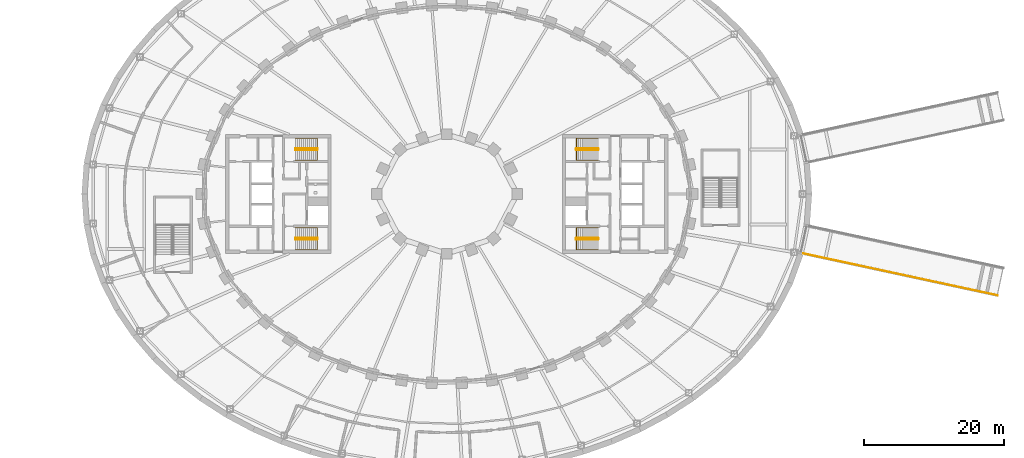
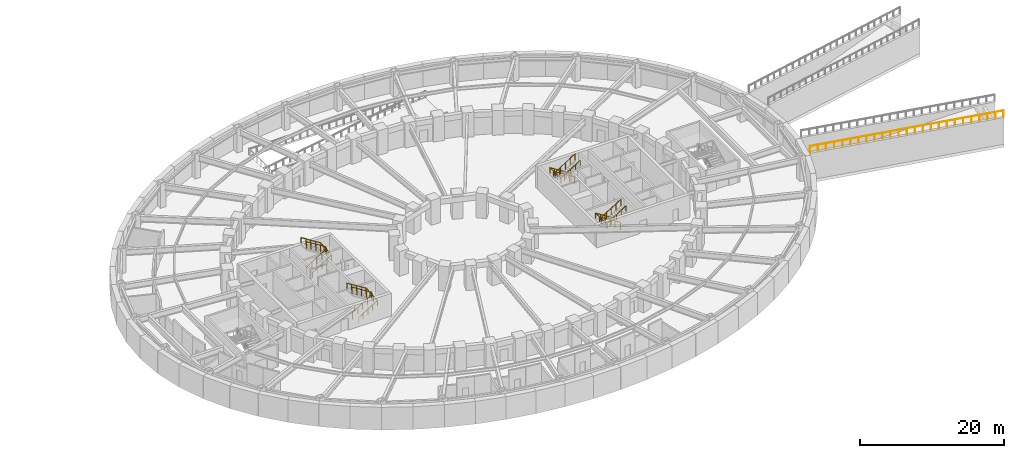
# One storey, part 29 of 32: 9 railings.
"""IFC4 building model written with IfcOpenShell, lengths in metres."""

from ifc_helpers import new_model, si_unit, direction, frame, origin, origin_2d, place, context, subcontext, project, spatial, rectangle, extrude, material, type_object, element, save


model = new_model("IFC4")

# Units and contexts
model_context = context("Model", 3, precision=1e-05, world=origin(), true_north=direction((0.0, 1.0)))
body_context = subcontext(model_context, "Body", "Model", "MODEL_VIEW")
ifc_project = project(units=[si_unit("LENGTHUNIT", "METRE"), si_unit("AREAUNIT", "SQUARE_METRE"), si_unit("VOLUMEUNIT", "CUBIC_METRE"), si_unit("PLANEANGLEUNIT", "RADIAN"), si_unit("MASSUNIT", "GRAM", prefix="KILO")], contexts=[model_context])

# Site, building, storey
site_placement = place(None, origin())
site = spatial("IfcSite", under=ifc_project, at=site_placement, CompositionType="ELEMENT")
building_placement = place(site_placement, origin())
building = spatial("IfcBuilding", under=site, at=building_placement, Name="Noorbagh Ring Tower", CompositionType="ELEMENT")
storey_placement = place(building_placement, frame((0.0, 0.0, -4.199951171875)))
storey = spatial("IfcBuildingStorey", under=building, at=storey_placement, Name="B1", CompositionType="ELEMENT", Elevation=-4.199951171875)

# Railings
ifc_material_1 = material(Name="Stainless steel", Category="steel")
railing_type_1 = type_object("IfcRailingType", Name="CORE-STAIR-GUARD", PredefinedType="GUARDRAIL", material=ifc_material_1)
railing_1_placement = place(storey_placement, frame((-21.580078125, 6.300048828125, 0.0)))
element("IfcRailing", 1, at=railing_1_placement, inside=storey, type_object=railing_type_1, Name="B1 ST1 stair guard", PredefinedType="GUARDRAIL", context=body_context, shape_type="SweptSolid", body=[
    extrude(rectangle(XDim=0.048095703125, YDim=0.048095703125, at=origin_2d()), frame((0.0, 0.0, 1.076171875), z_axis=(0.0, 1.0, 0.0), x_axis=(-1.0, 0.0, 0.0)), (0.0, 0.0, 1.0), 0.14990234375),
    extrude(rectangle(XDim=0.048095703125, YDim=0.048095703125, at=origin_2d()), frame((0.0, 0.14990234375, 1.076171875), z_axis=(0.185077533284, -0.739407315901, 0.647319957877), x_axis=(0.970072785993, 0.242814311512, 0.0)), (0.0, 0.0, 1.0), 0.2705078125),
    extrude(rectangle(XDim=0.048095703125, YDim=0.048095703125, at=origin_2d()), frame((0.050048828125, -0.050048828125, 1.2509765625), z_axis=(0.848028513186, 0.0, 0.529950602248), x_axis=(0.0, 1.0, 0.0)), (0.0, 0.0, 1.0), 3.632080078125),
    extrude(rectangle(XDim=0.048095703125, YDim=0.048095703125, at=origin_2d()), frame((3.130126953125, -0.050048828125, 3.17578125), z_axis=(0.707106781187, 0.707106781187, 0.0), x_axis=(-0.707106781187, 0.707106781187, 0.0)), (0.0, 0.0, 1.0), 0.07080078125),
    extrude(rectangle(XDim=0.048095703125, YDim=0.048095703125, at=origin_2d()), frame((3.18017578125, 0.0, 3.17578125), z_axis=(0.0, 1.0, 0.0), x_axis=(-1.0, 0.0, 0.0)), (0.0, 0.0, 1.0), 0.14990234375),
    extrude(rectangle(XDim=0.048095703125, YDim=0.048095703125, at=origin_2d()), frame((3.18017578125, 0.14990234375, 3.17578125), z_axis=(-0.265065253269, 0.265065253269, 0.927081885822), x_axis=(-0.707106781187, -0.707106781187, 0.0)), (0.0, 0.0, 1.0), 0.188720703125),
    extrude(rectangle(XDim=0.048095703125, YDim=0.048095703125, at=origin_2d()), frame((3.130126953125, 0.199951171875, 3.35107421875), z_axis=(-0.847998304005, 0.0, 0.529998940003), x_axis=(0.0, -1.0, 0.0)), (0.0, 0.0, 1.0), 3.632080078125),
    extrude(rectangle(XDim=0.0419921875, YDim=0.0419921875, at=origin_2d()), origin(), (0.0, 0.0, 1.0), 1.052001953125),
    extrude(rectangle(XDim=0.0419921875, YDim=0.0419921875, at=origin_2d()), frame((0.820068359375, -0.050048828125, 0.65625)), (0.0, 0.0, 1.0), 1.052001953125),
    extrude(rectangle(XDim=0.0419921875, YDim=0.0419921875, at=origin_2d()), frame((1.590087890625, -0.050048828125, 1.137451171875)), (0.0, 0.0, 1.0), 1.052001953125),
    extrude(rectangle(XDim=0.0419921875, YDim=0.0419921875, at=origin_2d()), frame((2.360107421875, -0.050048828125, 1.61865234375)), (0.0, 0.0, 1.0), 1.052001953125),
    extrude(rectangle(XDim=0.0419921875, YDim=0.0419921875, at=origin_2d()), frame((3.130126953125, -0.050048828125, 2.099853515625)), (0.0, 0.0, 1.0), 1.052001953125),
    extrude(rectangle(XDim=0.0419921875, YDim=0.0419921875, at=origin_2d()), frame((3.130126953125, 0.199951171875, 2.27490234375)), (0.0, 0.0, 1.0), 1.052001953125),
    extrude(rectangle(XDim=0.0419921875, YDim=0.0419921875, at=origin_2d()), frame((2.360107421875, 0.199951171875, 2.756103515625)), (0.0, 0.0, 1.0), 1.052001953125),
    extrude(rectangle(XDim=0.0419921875, YDim=0.0419921875, at=origin_2d()), frame((1.590087890625, 0.199951171875, 3.2373046875)), (0.0, 0.0, 1.0), 1.052001953125),
    extrude(rectangle(XDim=0.0419921875, YDim=0.0419921875, at=origin_2d()), frame((0.820068359375, 0.199951171875, 3.71875)), (0.0, 0.0, 1.0), 1.052001953125),
    extrude(rectangle(XDim=0.0419921875, YDim=0.0419921875, at=origin_2d()), frame((0.050048828125, 0.199951171875, 4.199951171875)), (0.0, 0.0, 1.0), 1.052001953125),
])
railing_2_placement = place(storey_placement, frame((-21.580078125, -6.449951171875, 0.0)))
element("IfcRailing", 2, at=railing_2_placement, inside=storey, type_object=railing_type_1, Name="B1 ST2 stair guard", PredefinedType="GUARDRAIL", context=body_context, shape_type="SweptSolid", body=[
    extrude(rectangle(XDim=0.048095703125, YDim=0.048095703125, at=origin_2d()), frame((0.0, 0.0, 1.076171875), z_axis=(0.0, 1.0, 0.0), x_axis=(-1.0, 0.0, 0.0)), (0.0, 0.0, 1.0), 0.14990234375),
    extrude(rectangle(XDim=0.048095703125, YDim=0.048095703125, at=origin_2d()), frame((0.0, 0.14990234375, 1.076171875), z_axis=(0.185077533284, -0.739407315901, 0.647319957877), x_axis=(0.970072785993, 0.242814311512, 0.0)), (0.0, 0.0, 1.0), 0.2705078125),
    extrude(rectangle(XDim=0.048095703125, YDim=0.048095703125, at=origin_2d()), frame((0.050048828125, -0.050048828125, 1.2509765625), z_axis=(0.848028513186, 0.0, 0.529950602248), x_axis=(0.0, 1.0, 0.0)), (0.0, 0.0, 1.0), 3.632080078125),
    extrude(rectangle(XDim=0.048095703125, YDim=0.048095703125, at=origin_2d()), frame((3.130126953125, -0.050048828125, 3.17578125), z_axis=(0.707106781187, 0.707106781187, 0.0), x_axis=(-0.707106781187, 0.707106781187, 0.0)), (0.0, 0.0, 1.0), 0.07080078125),
    extrude(rectangle(XDim=0.048095703125, YDim=0.048095703125, at=origin_2d()), frame((3.18017578125, 0.0, 3.17578125), z_axis=(0.0, 1.0, 0.0), x_axis=(-1.0, 0.0, 0.0)), (0.0, 0.0, 1.0), 0.14990234375),
    extrude(rectangle(XDim=0.048095703125, YDim=0.048095703125, at=origin_2d()), frame((3.18017578125, 0.14990234375, 3.17578125), z_axis=(-0.265065253269, 0.265065253269, 0.927081885822), x_axis=(-0.707106781187, -0.707106781187, 0.0)), (0.0, 0.0, 1.0), 0.188720703125),
    extrude(rectangle(XDim=0.048095703125, YDim=0.048095703125, at=origin_2d()), frame((3.130126953125, 0.199951171875, 3.35107421875), z_axis=(-0.847998304005, 0.0, 0.529998940003), x_axis=(0.0, -1.0, 0.0)), (0.0, 0.0, 1.0), 3.632080078125),
    extrude(rectangle(XDim=0.0419921875, YDim=0.0419921875, at=origin_2d()), origin(), (0.0, 0.0, 1.0), 1.052001953125),
    extrude(rectangle(XDim=0.0419921875, YDim=0.0419921875, at=origin_2d()), frame((0.820068359375, -0.050048828125, 0.65625)), (0.0, 0.0, 1.0), 1.052001953125),
    extrude(rectangle(XDim=0.0419921875, YDim=0.0419921875, at=origin_2d()), frame((1.590087890625, -0.050048828125, 1.137451171875)), (0.0, 0.0, 1.0), 1.052001953125),
    extrude(rectangle(XDim=0.0419921875, YDim=0.0419921875, at=origin_2d()), frame((2.360107421875, -0.050048828125, 1.61865234375)), (0.0, 0.0, 1.0), 1.052001953125),
    extrude(rectangle(XDim=0.0419921875, YDim=0.0419921875, at=origin_2d()), frame((3.130126953125, -0.050048828125, 2.099853515625)), (0.0, 0.0, 1.0), 1.052001953125),
    extrude(rectangle(XDim=0.0419921875, YDim=0.0419921875, at=origin_2d()), frame((3.130126953125, 0.199951171875, 2.27490234375)), (0.0, 0.0, 1.0), 1.052001953125),
    extrude(rectangle(XDim=0.0419921875, YDim=0.0419921875, at=origin_2d()), frame((2.360107421875, 0.199951171875, 2.756103515625)), (0.0, 0.0, 1.0), 1.052001953125),
    extrude(rectangle(XDim=0.0419921875, YDim=0.0419921875, at=origin_2d()), frame((1.590087890625, 0.199951171875, 3.2373046875)), (0.0, 0.0, 1.0), 1.052001953125),
    extrude(rectangle(XDim=0.0419921875, YDim=0.0419921875, at=origin_2d()), frame((0.820068359375, 0.199951171875, 3.71875)), (0.0, 0.0, 1.0), 1.052001953125),
    extrude(rectangle(XDim=0.0419921875, YDim=0.0419921875, at=origin_2d()), frame((0.050048828125, 0.199951171875, 4.199951171875)), (0.0, 0.0, 1.0), 1.052001953125),
])
railing_3_placement = place(storey_placement, frame((21.580078125, 6.449951171875, 0.0)))
element("IfcRailing", 3, at=railing_3_placement, inside=storey, type_object=railing_type_1, Name="B1 ST3 stair guard", PredefinedType="GUARDRAIL", context=body_context, shape_type="SweptSolid", body=[
    extrude(rectangle(XDim=0.048095703125, YDim=0.048095703125, at=origin_2d()), frame((0.0, 0.0, 1.076171875), z_axis=(0.0, -1.0, 0.0), x_axis=(1.0, 0.0, 0.0)), (0.0, 0.0, 1.0), 0.14990234375),
    extrude(rectangle(XDim=0.048095703125, YDim=0.048095703125, at=origin_2d()), frame((0.0, -0.14990234375, 1.076171875), z_axis=(-0.185077533284, 0.739407315901, 0.647319957877), x_axis=(-0.970072785993, -0.242814311512, 0.0)), (0.0, 0.0, 1.0), 0.2705078125),
    extrude(rectangle(XDim=0.048095703125, YDim=0.048095703125, at=origin_2d()), frame((-0.050048828125, 0.050048828125, 1.2509765625), z_axis=(-0.848028513186, 0.0, 0.529950602248), x_axis=(0.0, -1.0, 0.0)), (0.0, 0.0, 1.0), 3.632080078125),
    extrude(rectangle(XDim=0.048095703125, YDim=0.048095703125, at=origin_2d()), frame((-3.130126953125, 0.050048828125, 3.17578125), z_axis=(-0.707106781187, -0.707106781187, 0.0), x_axis=(0.707106781187, -0.707106781187, 0.0)), (0.0, 0.0, 1.0), 0.07080078125),
    extrude(rectangle(XDim=0.048095703125, YDim=0.048095703125, at=origin_2d()), frame((-3.18017578125, 0.0, 3.17578125), z_axis=(0.0, -1.0, 0.0), x_axis=(1.0, 0.0, 0.0)), (0.0, 0.0, 1.0), 0.14990234375),
    extrude(rectangle(XDim=0.048095703125, YDim=0.048095703125, at=origin_2d()), frame((-3.18017578125, -0.14990234375, 3.17578125), z_axis=(0.265065253269, -0.265065253269, 0.927081885822), x_axis=(0.707106781187, 0.707106781187, 0.0)), (0.0, 0.0, 1.0), 0.188720703125),
    extrude(rectangle(XDim=0.048095703125, YDim=0.048095703125, at=origin_2d()), frame((-3.130126953125, -0.199951171875, 3.35107421875), z_axis=(0.847998304005, 0.0, 0.529998940003), x_axis=(0.0, 1.0, 0.0)), (0.0, 0.0, 1.0), 3.632080078125),
    extrude(rectangle(XDim=0.0419921875, YDim=0.0419921875, at=origin_2d()), origin(), (0.0, 0.0, 1.0), 1.052001953125),
    extrude(rectangle(XDim=0.0419921875, YDim=0.0419921875, at=origin_2d()), frame((-0.820068359375, 0.050048828125, 0.65625)), (0.0, 0.0, 1.0), 1.052001953125),
    extrude(rectangle(XDim=0.0419921875, YDim=0.0419921875, at=origin_2d()), frame((-1.590087890625, 0.050048828125, 1.137451171875)), (0.0, 0.0, 1.0), 1.052001953125),
    extrude(rectangle(XDim=0.0419921875, YDim=0.0419921875, at=origin_2d()), frame((-2.360107421875, 0.050048828125, 1.61865234375)), (0.0, 0.0, 1.0), 1.052001953125),
    extrude(rectangle(XDim=0.0419921875, YDim=0.0419921875, at=origin_2d()), frame((-3.130126953125, 0.050048828125, 2.099853515625)), (0.0, 0.0, 1.0), 1.052001953125),
    extrude(rectangle(XDim=0.0419921875, YDim=0.0419921875, at=origin_2d()), frame((-3.130126953125, -0.199951171875, 2.27490234375)), (0.0, 0.0, 1.0), 1.052001953125),
    extrude(rectangle(XDim=0.0419921875, YDim=0.0419921875, at=origin_2d()), frame((-2.360107421875, -0.199951171875, 2.756103515625)), (0.0, 0.0, 1.0), 1.052001953125),
    extrude(rectangle(XDim=0.0419921875, YDim=0.0419921875, at=origin_2d()), frame((-1.590087890625, -0.199951171875, 3.2373046875)), (0.0, 0.0, 1.0), 1.052001953125),
    extrude(rectangle(XDim=0.0419921875, YDim=0.0419921875, at=origin_2d()), frame((-0.820068359375, -0.199951171875, 3.71875)), (0.0, 0.0, 1.0), 1.052001953125),
    extrude(rectangle(XDim=0.0419921875, YDim=0.0419921875, at=origin_2d()), frame((-0.050048828125, -0.199951171875, 4.199951171875)), (0.0, 0.0, 1.0), 1.052001953125),
])
railing_4_placement = place(storey_placement, frame((21.580078125, -6.300048828125, 0.0)))
element("IfcRailing", 4, at=railing_4_placement, inside=storey, type_object=railing_type_1, Name="B1 ST4 stair guard", PredefinedType="GUARDRAIL", context=body_context, shape_type="SweptSolid", body=[
    extrude(rectangle(XDim=0.048095703125, YDim=0.048095703125, at=origin_2d()), frame((0.0, 0.0, 1.076171875), z_axis=(0.0, -1.0, 0.0), x_axis=(1.0, 0.0, 0.0)), (0.0, 0.0, 1.0), 0.14990234375),
    extrude(rectangle(XDim=0.048095703125, YDim=0.048095703125, at=origin_2d()), frame((0.0, -0.14990234375, 1.076171875), z_axis=(-0.185077533284, 0.739407315901, 0.647319957877), x_axis=(-0.970072785993, -0.242814311512, 0.0)), (0.0, 0.0, 1.0), 0.2705078125),
    extrude(rectangle(XDim=0.048095703125, YDim=0.048095703125, at=origin_2d()), frame((-0.050048828125, 0.050048828125, 1.2509765625), z_axis=(-0.848028513186, 0.0, 0.529950602248), x_axis=(0.0, -1.0, 0.0)), (0.0, 0.0, 1.0), 3.632080078125),
    extrude(rectangle(XDim=0.048095703125, YDim=0.048095703125, at=origin_2d()), frame((-3.130126953125, 0.050048828125, 3.17578125), z_axis=(-0.707106781187, -0.707106781187, 0.0), x_axis=(0.707106781187, -0.707106781187, 0.0)), (0.0, 0.0, 1.0), 0.07080078125),
    extrude(rectangle(XDim=0.048095703125, YDim=0.048095703125, at=origin_2d()), frame((-3.18017578125, 0.0, 3.17578125), z_axis=(0.0, -1.0, 0.0), x_axis=(1.0, 0.0, 0.0)), (0.0, 0.0, 1.0), 0.14990234375),
    extrude(rectangle(XDim=0.048095703125, YDim=0.048095703125, at=origin_2d()), frame((-3.18017578125, -0.14990234375, 3.17578125), z_axis=(0.265065253269, -0.265065253269, 0.927081885822), x_axis=(0.707106781187, 0.707106781187, 0.0)), (0.0, 0.0, 1.0), 0.188720703125),
    extrude(rectangle(XDim=0.048095703125, YDim=0.048095703125, at=origin_2d()), frame((-3.130126953125, -0.199951171875, 3.35107421875), z_axis=(0.847998304005, 0.0, 0.529998940003), x_axis=(0.0, 1.0, 0.0)), (0.0, 0.0, 1.0), 3.632080078125),
    extrude(rectangle(XDim=0.0419921875, YDim=0.0419921875, at=origin_2d()), origin(), (0.0, 0.0, 1.0), 1.052001953125),
    extrude(rectangle(XDim=0.0419921875, YDim=0.0419921875, at=origin_2d()), frame((-0.820068359375, 0.050048828125, 0.65625)), (0.0, 0.0, 1.0), 1.052001953125),
    extrude(rectangle(XDim=0.0419921875, YDim=0.0419921875, at=origin_2d()), frame((-1.590087890625, 0.050048828125, 1.137451171875)), (0.0, 0.0, 1.0), 1.052001953125),
    extrude(rectangle(XDim=0.0419921875, YDim=0.0419921875, at=origin_2d()), frame((-2.360107421875, 0.050048828125, 1.61865234375)), (0.0, 0.0, 1.0), 1.052001953125),
    extrude(rectangle(XDim=0.0419921875, YDim=0.0419921875, at=origin_2d()), frame((-3.130126953125, 0.050048828125, 2.099853515625)), (0.0, 0.0, 1.0), 1.052001953125),
    extrude(rectangle(XDim=0.0419921875, YDim=0.0419921875, at=origin_2d()), frame((-3.130126953125, -0.199951171875, 2.27490234375)), (0.0, 0.0, 1.0), 1.052001953125),
    extrude(rectangle(XDim=0.0419921875, YDim=0.0419921875, at=origin_2d()), frame((-2.360107421875, -0.199951171875, 2.756103515625)), (0.0, 0.0, 1.0), 1.052001953125),
    extrude(rectangle(XDim=0.0419921875, YDim=0.0419921875, at=origin_2d()), frame((-1.590087890625, -0.199951171875, 3.2373046875)), (0.0, 0.0, 1.0), 1.052001953125),
    extrude(rectangle(XDim=0.0419921875, YDim=0.0419921875, at=origin_2d()), frame((-0.820068359375, -0.199951171875, 3.71875)), (0.0, 0.0, 1.0), 1.052001953125),
    extrude(rectangle(XDim=0.0419921875, YDim=0.0419921875, at=origin_2d()), frame((-0.050048828125, -0.199951171875, 4.199951171875)), (0.0, 0.0, 1.0), 1.052001953125),
])
ifc_material_2 = material(Name="Stainless steel", Category="steel")
railing_type_2 = type_object("IfcRailingType", Name="CORE-STAIR-HANDRAIL", PredefinedType="HANDRAIL", material=ifc_material_2)
railing_5_placement = place(storey_placement, frame((-21.530029296875, 4.800048828125, 0.175048828125)))
element("IfcRailing", 5, at=railing_5_placement, inside=storey, type_object=railing_type_2, Name="B1 ST1 stair handrail", PredefinedType="HANDRAIL", context=body_context, shape_type="SweptSolid", body=[
    extrude(rectangle(XDim=0.048095703125, YDim=0.048095703125, at=origin_2d()), frame((0.0, 0.0, 0.8759765625), z_axis=(0.848028513186, 0.0, 0.529950602248), x_axis=(0.0, 1.0, 0.0)), (0.0, 0.0, 1.0), 3.632080078125),
    extrude(rectangle(XDim=0.048095703125, YDim=0.048095703125, at=origin_2d()), frame((3.080078125, 0.0, 2.80078125), z_axis=(0.0, 0.998459400591, 0.055487164023), x_axis=(-1.0, 0.0, 0.0)), (0.0, 0.0, 1.0), 3.15478515625),
    extrude(rectangle(XDim=0.048095703125, YDim=0.048095703125, at=origin_2d()), frame((3.080078125, 3.14990234375, 2.9755859375), z_axis=(-0.847998304005, 0.0, 0.529998940003), x_axis=(0.0, -1.0, 0.0)), (0.0, 0.0, 1.0), 3.632080078125),
    extrude(rectangle(XDim=0.0419921875, YDim=0.0419921875, at=origin_2d()), origin(), (0.0, 0.0, 1.0), 0.851806640625),
    extrude(rectangle(XDim=0.0419921875, YDim=0.0419921875, at=origin_2d()), frame((0.77001953125, 0.0, 0.481201171875)), (0.0, 0.0, 1.0), 0.851806640625),
    extrude(rectangle(XDim=0.0419921875, YDim=0.0419921875, at=origin_2d()), frame((1.5400390625, 0.0, 0.96240234375)), (0.0, 0.0, 1.0), 0.851806640625),
    extrude(rectangle(XDim=0.0419921875, YDim=0.0419921875, at=origin_2d()), frame((2.31005859375, 0.0, 1.443603515625)), (0.0, 0.0, 1.0), 0.851806640625),
    extrude(rectangle(XDim=0.0419921875, YDim=0.0419921875, at=origin_2d()), frame((3.080078125, 0.0, 1.9248046875)), (0.0, 0.0, 1.0), 0.851806640625),
    extrude(rectangle(XDim=0.0419921875, YDim=0.0419921875, at=origin_2d()), frame((3.080078125, 1.050048828125, 1.983154296875)), (0.0, 0.0, 1.0), 0.851806640625),
    extrude(rectangle(XDim=0.0419921875, YDim=0.0419921875, at=origin_2d()), frame((3.080078125, 2.099853515625, 2.04150390625)), (0.0, 0.0, 1.0), 0.851806640625),
    extrude(rectangle(XDim=0.0419921875, YDim=0.0419921875, at=origin_2d()), frame((3.080078125, 3.14990234375, 2.099853515625)), (0.0, 0.0, 1.0), 0.851806640625),
    extrude(rectangle(XDim=0.0419921875, YDim=0.0419921875, at=origin_2d()), frame((2.31005859375, 3.14990234375, 2.5810546875)), (0.0, 0.0, 1.0), 0.851806640625),
    extrude(rectangle(XDim=0.0419921875, YDim=0.0419921875, at=origin_2d()), frame((1.5400390625, 3.14990234375, 3.0625)), (0.0, 0.0, 1.0), 0.851806640625),
    extrude(rectangle(XDim=0.0419921875, YDim=0.0419921875, at=origin_2d()), frame((0.77001953125, 3.14990234375, 3.543701171875)), (0.0, 0.0, 1.0), 0.851806640625),
    extrude(rectangle(XDim=0.0419921875, YDim=0.0419921875, at=origin_2d()), frame((0.0, 3.14990234375, 4.02490234375)), (0.0, 0.0, 1.0), 0.851806640625),
])
railing_6_placement = place(storey_placement, frame((-21.530029296875, -7.949951171875, 0.175048828125)))
element("IfcRailing", 6, at=railing_6_placement, inside=storey, type_object=railing_type_2, Name="B1 ST2 stair handrail", PredefinedType="HANDRAIL", context=body_context, shape_type="SweptSolid", body=[
    extrude(rectangle(XDim=0.048095703125, YDim=0.048095703125, at=origin_2d()), frame((0.0, 0.0, 0.8759765625), z_axis=(0.848028513186, 0.0, 0.529950602248), x_axis=(0.0, 1.0, 0.0)), (0.0, 0.0, 1.0), 3.632080078125),
    extrude(rectangle(XDim=0.048095703125, YDim=0.048095703125, at=origin_2d()), frame((3.080078125, 0.0, 2.80078125), z_axis=(0.0, 0.998459400591, 0.055487164023), x_axis=(-1.0, 0.0, 0.0)), (0.0, 0.0, 1.0), 3.15478515625),
    extrude(rectangle(XDim=0.048095703125, YDim=0.048095703125, at=origin_2d()), frame((3.080078125, 3.14990234375, 2.9755859375), z_axis=(-0.847998304005, 0.0, 0.529998940003), x_axis=(0.0, -1.0, 0.0)), (0.0, 0.0, 1.0), 3.632080078125),
    extrude(rectangle(XDim=0.0419921875, YDim=0.0419921875, at=origin_2d()), origin(), (0.0, 0.0, 1.0), 0.851806640625),
    extrude(rectangle(XDim=0.0419921875, YDim=0.0419921875, at=origin_2d()), frame((0.77001953125, 0.0, 0.481201171875)), (0.0, 0.0, 1.0), 0.851806640625),
    extrude(rectangle(XDim=0.0419921875, YDim=0.0419921875, at=origin_2d()), frame((1.5400390625, 0.0, 0.96240234375)), (0.0, 0.0, 1.0), 0.851806640625),
    extrude(rectangle(XDim=0.0419921875, YDim=0.0419921875, at=origin_2d()), frame((2.31005859375, 0.0, 1.443603515625)), (0.0, 0.0, 1.0), 0.851806640625),
    extrude(rectangle(XDim=0.0419921875, YDim=0.0419921875, at=origin_2d()), frame((3.080078125, 0.0, 1.9248046875)), (0.0, 0.0, 1.0), 0.851806640625),
    extrude(rectangle(XDim=0.0419921875, YDim=0.0419921875, at=origin_2d()), frame((3.080078125, 1.050048828125, 1.983154296875)), (0.0, 0.0, 1.0), 0.851806640625),
    extrude(rectangle(XDim=0.0419921875, YDim=0.0419921875, at=origin_2d()), frame((3.080078125, 2.099853515625, 2.04150390625)), (0.0, 0.0, 1.0), 0.851806640625),
    extrude(rectangle(XDim=0.0419921875, YDim=0.0419921875, at=origin_2d()), frame((3.080078125, 3.14990234375, 2.099853515625)), (0.0, 0.0, 1.0), 0.851806640625),
    extrude(rectangle(XDim=0.0419921875, YDim=0.0419921875, at=origin_2d()), frame((2.31005859375, 3.14990234375, 2.5810546875)), (0.0, 0.0, 1.0), 0.851806640625),
    extrude(rectangle(XDim=0.0419921875, YDim=0.0419921875, at=origin_2d()), frame((1.5400390625, 3.14990234375, 3.0625)), (0.0, 0.0, 1.0), 0.851806640625),
    extrude(rectangle(XDim=0.0419921875, YDim=0.0419921875, at=origin_2d()), frame((0.77001953125, 3.14990234375, 3.543701171875)), (0.0, 0.0, 1.0), 0.851806640625),
    extrude(rectangle(XDim=0.0419921875, YDim=0.0419921875, at=origin_2d()), frame((0.0, 3.14990234375, 4.02490234375)), (0.0, 0.0, 1.0), 0.851806640625),
])
railing_7_placement = place(storey_placement, frame((21.530029296875, 7.949951171875, 0.175048828125)))
element("IfcRailing", 7, at=railing_7_placement, inside=storey, type_object=railing_type_2, Name="B1 ST3 stair handrail", PredefinedType="HANDRAIL", context=body_context, shape_type="SweptSolid", body=[
    extrude(rectangle(XDim=0.048095703125, YDim=0.048095703125, at=origin_2d()), frame((0.0, 0.0, 0.8759765625), z_axis=(-0.848028513186, 0.0, 0.529950602248), x_axis=(0.0, -1.0, 0.0)), (0.0, 0.0, 1.0), 3.632080078125),
    extrude(rectangle(XDim=0.048095703125, YDim=0.048095703125, at=origin_2d()), frame((-3.080078125, 0.0, 2.80078125), z_axis=(0.0, -0.998459400591, 0.055487164023), x_axis=(1.0, 0.0, 0.0)), (0.0, 0.0, 1.0), 3.15478515625),
    extrude(rectangle(XDim=0.048095703125, YDim=0.048095703125, at=origin_2d()), frame((-3.080078125, -3.14990234375, 2.9755859375), z_axis=(0.847998304005, 0.0, 0.529998940003), x_axis=(0.0, 1.0, 0.0)), (0.0, 0.0, 1.0), 3.632080078125),
    extrude(rectangle(XDim=0.0419921875, YDim=0.0419921875, at=origin_2d()), origin(), (0.0, 0.0, 1.0), 0.851806640625),
    extrude(rectangle(XDim=0.0419921875, YDim=0.0419921875, at=origin_2d()), frame((-0.77001953125, 0.0, 0.481201171875)), (0.0, 0.0, 1.0), 0.851806640625),
    extrude(rectangle(XDim=0.0419921875, YDim=0.0419921875, at=origin_2d()), frame((-1.5400390625, 0.0, 0.96240234375)), (0.0, 0.0, 1.0), 0.851806640625),
    extrude(rectangle(XDim=0.0419921875, YDim=0.0419921875, at=origin_2d()), frame((-2.31005859375, 0.0, 1.443603515625)), (0.0, 0.0, 1.0), 0.851806640625),
    extrude(rectangle(XDim=0.0419921875, YDim=0.0419921875, at=origin_2d()), frame((-3.080078125, 0.0, 1.9248046875)), (0.0, 0.0, 1.0), 0.851806640625),
    extrude(rectangle(XDim=0.0419921875, YDim=0.0419921875, at=origin_2d()), frame((-3.080078125, -1.050048828125, 1.983154296875)), (0.0, 0.0, 1.0), 0.851806640625),
    extrude(rectangle(XDim=0.0419921875, YDim=0.0419921875, at=origin_2d()), frame((-3.080078125, -2.099853515625, 2.04150390625)), (0.0, 0.0, 1.0), 0.851806640625),
    extrude(rectangle(XDim=0.0419921875, YDim=0.0419921875, at=origin_2d()), frame((-3.080078125, -3.14990234375, 2.099853515625)), (0.0, 0.0, 1.0), 0.851806640625),
    extrude(rectangle(XDim=0.0419921875, YDim=0.0419921875, at=origin_2d()), frame((-2.31005859375, -3.14990234375, 2.5810546875)), (0.0, 0.0, 1.0), 0.851806640625),
    extrude(rectangle(XDim=0.0419921875, YDim=0.0419921875, at=origin_2d()), frame((-1.5400390625, -3.14990234375, 3.0625)), (0.0, 0.0, 1.0), 0.851806640625),
    extrude(rectangle(XDim=0.0419921875, YDim=0.0419921875, at=origin_2d()), frame((-0.77001953125, -3.14990234375, 3.543701171875)), (0.0, 0.0, 1.0), 0.851806640625),
    extrude(rectangle(XDim=0.0419921875, YDim=0.0419921875, at=origin_2d()), frame((0.0, -3.14990234375, 4.02490234375)), (0.0, 0.0, 1.0), 0.851806640625),
])
railing_8_placement = place(storey_placement, frame((21.530029296875, -4.800048828125, 0.175048828125)))
element("IfcRailing", 8, at=railing_8_placement, inside=storey, type_object=railing_type_2, Name="B1 ST4 stair handrail", PredefinedType="HANDRAIL", context=body_context, shape_type="SweptSolid", body=[
    extrude(rectangle(XDim=0.048095703125, YDim=0.048095703125, at=origin_2d()), frame((0.0, 0.0, 0.8759765625), z_axis=(-0.848028513186, 0.0, 0.529950602248), x_axis=(0.0, -1.0, 0.0)), (0.0, 0.0, 1.0), 3.632080078125),
    extrude(rectangle(XDim=0.048095703125, YDim=0.048095703125, at=origin_2d()), frame((-3.080078125, 0.0, 2.80078125), z_axis=(0.0, -0.998459400591, 0.055487164023), x_axis=(1.0, 0.0, 0.0)), (0.0, 0.0, 1.0), 3.15478515625),
    extrude(rectangle(XDim=0.048095703125, YDim=0.048095703125, at=origin_2d()), frame((-3.080078125, -3.14990234375, 2.9755859375), z_axis=(0.847998304005, 0.0, 0.529998940003), x_axis=(0.0, 1.0, 0.0)), (0.0, 0.0, 1.0), 3.632080078125),
    extrude(rectangle(XDim=0.0419921875, YDim=0.0419921875, at=origin_2d()), origin(), (0.0, 0.0, 1.0), 0.851806640625),
    extrude(rectangle(XDim=0.0419921875, YDim=0.0419921875, at=origin_2d()), frame((-0.77001953125, 0.0, 0.481201171875)), (0.0, 0.0, 1.0), 0.851806640625),
    extrude(rectangle(XDim=0.0419921875, YDim=0.0419921875, at=origin_2d()), frame((-1.5400390625, 0.0, 0.96240234375)), (0.0, 0.0, 1.0), 0.851806640625),
    extrude(rectangle(XDim=0.0419921875, YDim=0.0419921875, at=origin_2d()), frame((-2.31005859375, 0.0, 1.443603515625)), (0.0, 0.0, 1.0), 0.851806640625),
    extrude(rectangle(XDim=0.0419921875, YDim=0.0419921875, at=origin_2d()), frame((-3.080078125, 0.0, 1.9248046875)), (0.0, 0.0, 1.0), 0.851806640625),
    extrude(rectangle(XDim=0.0419921875, YDim=0.0419921875, at=origin_2d()), frame((-3.080078125, -1.050048828125, 1.983154296875)), (0.0, 0.0, 1.0), 0.851806640625),
    extrude(rectangle(XDim=0.0419921875, YDim=0.0419921875, at=origin_2d()), frame((-3.080078125, -2.099853515625, 2.04150390625)), (0.0, 0.0, 1.0), 0.851806640625),
    extrude(rectangle(XDim=0.0419921875, YDim=0.0419921875, at=origin_2d()), frame((-3.080078125, -3.14990234375, 2.099853515625)), (0.0, 0.0, 1.0), 0.851806640625),
    extrude(rectangle(XDim=0.0419921875, YDim=0.0419921875, at=origin_2d()), frame((-2.31005859375, -3.14990234375, 2.5810546875)), (0.0, 0.0, 1.0), 0.851806640625),
    extrude(rectangle(XDim=0.0419921875, YDim=0.0419921875, at=origin_2d()), frame((-1.5400390625, -3.14990234375, 3.0625)), (0.0, 0.0, 1.0), 0.851806640625),
    extrude(rectangle(XDim=0.0419921875, YDim=0.0419921875, at=origin_2d()), frame((-0.77001953125, -3.14990234375, 3.543701171875)), (0.0, 0.0, 1.0), 0.851806640625),
    extrude(rectangle(XDim=0.0419921875, YDim=0.0419921875, at=origin_2d()), frame((0.0, -3.14990234375, 4.02490234375)), (0.0, 0.0, 1.0), 0.851806640625),
])
ifc_material_3 = material(Name="Stainless steel", Category="steel")
railing_type_3 = type_object("IfcRailingType", Name="GND-RAIL", PredefinedType="GUARDRAIL", material=ifc_material_3)
railing_9_placement = place(storey_placement, frame((50.802734375, -8.48583984375, 4.199951171875)))
element("IfcRailing", 9, at=railing_9_placement, inside=storey, type_object=railing_type_3, Name="Street ramp guard", PredefinedType="GUARDRAIL", context=body_context, shape_type="SweptSolid", body=[
    extrude(rectangle(XDim=0.048095703125, YDim=0.048095703125, at=origin_2d()), frame((0.0, 0.0, 1.076171875), z_axis=(0.977565332402, -0.210632430756, 0.0), x_axis=(0.210632430756, 0.977565332402, 0.0)), (0.0, 0.0, 1.0), 28.30029296875),
    extrude(rectangle(XDim=0.0419921875, YDim=0.0419921875, at=origin_2d()), origin(), (0.0, 0.0, 1.0), 1.052001953125),
    extrude(rectangle(XDim=0.0419921875, YDim=0.0419921875, at=origin_2d()), frame((1.15283203125, -0.248291015625, 0.0)), (0.0, 0.0, 1.0), 1.052001953125),
    extrude(rectangle(XDim=0.0419921875, YDim=0.0419921875, at=origin_2d()), frame((2.305419921875, -0.496826171875, 0.0)), (0.0, 0.0, 1.0), 1.052001953125),
    extrude(rectangle(XDim=0.0419921875, YDim=0.0419921875, at=origin_2d()), frame((3.458251953125, -0.7451171875, 0.0)), (0.0, 0.0, 1.0), 1.052001953125),
    extrude(rectangle(XDim=0.0419921875, YDim=0.0419921875, at=origin_2d()), frame((4.61083984375, -0.993408203125, 0.0)), (0.0, 0.0, 1.0), 1.052001953125),
    extrude(rectangle(XDim=0.0419921875, YDim=0.0419921875, at=origin_2d()), frame((5.763671875, -1.241943359375, 0.0)), (0.0, 0.0, 1.0), 1.052001953125),
    extrude(rectangle(XDim=0.0419921875, YDim=0.0419921875, at=origin_2d()), frame((6.916259765625, -1.490234375, 0.0)), (0.0, 0.0, 1.0), 1.052001953125),
    extrude(rectangle(XDim=0.0419921875, YDim=0.0419921875, at=origin_2d()), frame((8.069091796875, -1.738525390625, 0.0)), (0.0, 0.0, 1.0), 1.052001953125),
    extrude(rectangle(XDim=0.0419921875, YDim=0.0419921875, at=origin_2d()), frame((9.2216796875, -1.987060546875, 0.0)), (0.0, 0.0, 1.0), 1.052001953125),
    extrude(rectangle(XDim=0.0419921875, YDim=0.0419921875, at=origin_2d()), frame((10.37451171875, -2.2353515625, 0.0)), (0.0, 0.0, 1.0), 1.052001953125),
    extrude(rectangle(XDim=0.0419921875, YDim=0.0419921875, at=origin_2d()), frame((11.527099609375, -2.483642578125, 0.0)), (0.0, 0.0, 1.0), 1.052001953125),
    extrude(rectangle(XDim=0.0419921875, YDim=0.0419921875, at=origin_2d()), frame((12.679931640625, -2.732177734375, 0.0)), (0.0, 0.0, 1.0), 1.052001953125),
    extrude(rectangle(XDim=0.0419921875, YDim=0.0419921875, at=origin_2d()), frame((13.83251953125, -2.98046875, 0.0)), (0.0, 0.0, 1.0), 1.052001953125),
    extrude(rectangle(XDim=0.0419921875, YDim=0.0419921875, at=origin_2d()), frame((14.9853515625, -3.228759765625, 0.0)), (0.0, 0.0, 1.0), 1.052001953125),
    extrude(rectangle(XDim=0.0419921875, YDim=0.0419921875, at=origin_2d()), frame((16.13818359375, -3.477294921875, 0.0)), (0.0, 0.0, 1.0), 1.052001953125),
    extrude(rectangle(XDim=0.0419921875, YDim=0.0419921875, at=origin_2d()), frame((17.290771484375, -3.7255859375, 0.0)), (0.0, 0.0, 1.0), 1.052001953125),
    extrude(rectangle(XDim=0.0419921875, YDim=0.0419921875, at=origin_2d()), frame((18.443603515625, -3.973876953125, 0.0)), (0.0, 0.0, 1.0), 1.052001953125),
    extrude(rectangle(XDim=0.0419921875, YDim=0.0419921875, at=origin_2d()), frame((19.59619140625, -4.222412109375, 0.0)), (0.0, 0.0, 1.0), 1.052001953125),
    extrude(rectangle(XDim=0.0419921875, YDim=0.0419921875, at=origin_2d()), frame((20.7490234375, -4.470703125, 0.0)), (0.0, 0.0, 1.0), 1.052001953125),
    extrude(rectangle(XDim=0.0419921875, YDim=0.0419921875, at=origin_2d()), frame((21.901611328125, -4.718994140625, 0.0)), (0.0, 0.0, 1.0), 1.052001953125),
    extrude(rectangle(XDim=0.0419921875, YDim=0.0419921875, at=origin_2d()), frame((23.054443359375, -4.967529296875, 0.0)), (0.0, 0.0, 1.0), 1.052001953125),
    extrude(rectangle(XDim=0.0419921875, YDim=0.0419921875, at=origin_2d()), frame((24.20703125, -5.2158203125, 0.0)), (0.0, 0.0, 1.0), 1.052001953125),
    extrude(rectangle(XDim=0.0419921875, YDim=0.0419921875, at=origin_2d()), frame((25.35986328125, -5.464111328125, 0.0)), (0.0, 0.0, 1.0), 1.052001953125),
    extrude(rectangle(XDim=0.0419921875, YDim=0.0419921875, at=origin_2d()), frame((26.512451171875, -5.712646484375, 0.0)), (0.0, 0.0, 1.0), 1.052001953125),
    extrude(rectangle(XDim=0.0419921875, YDim=0.0419921875, at=origin_2d()), frame((27.665283203125, -5.9609375, 0.0)), (0.0, 0.0, 1.0), 1.052001953125),
])

save(model, "model.ifc")
